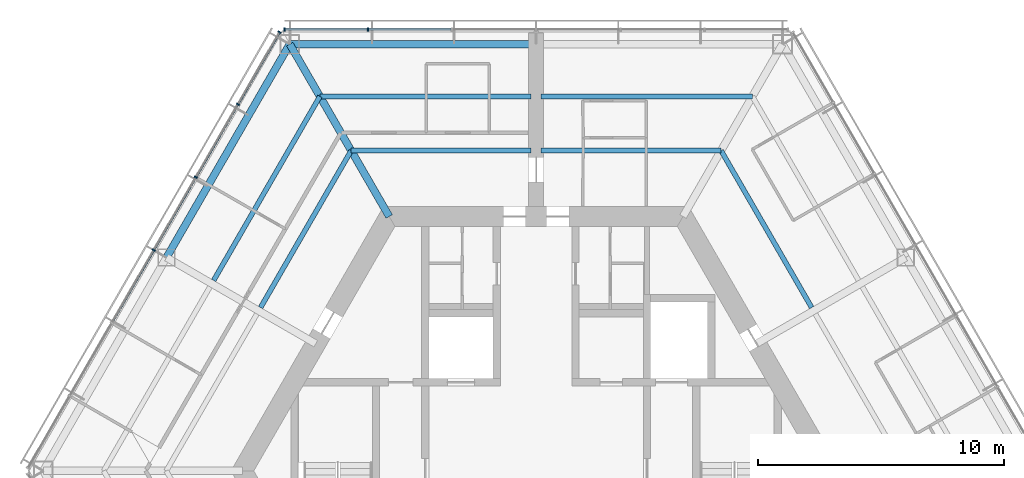
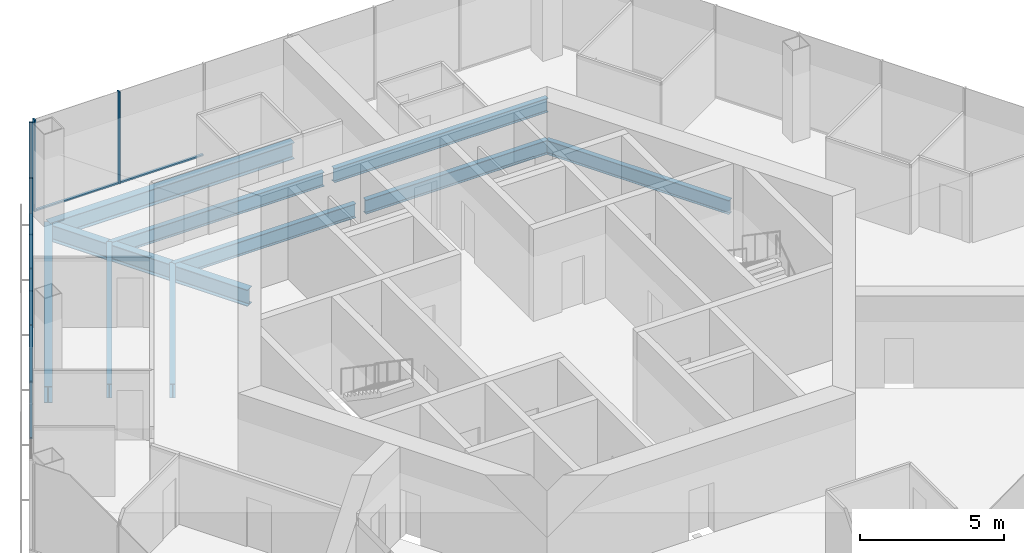
# One storey, part 6 of 16: 12 members, 10 beams, 2 elements without a shape of their own.
"""IFC4 building model written with IfcOpenShell, lengths in metres."""

from ifc_helpers import new_model, si_unit, direction, frame, origin, origin_2d, place, context, subcontext, project, spatial, rectangle, i_section, extrude, material, material_profile, profile_set, type_object, element, aggregate, save


model = new_model("IFC4")

# Units and contexts
model_context = context("Model", 3, precision=1e-05, world=origin(), true_north=direction((0.0, 1.0)))
body_context = subcontext(model_context, "Body", "Model", "MODEL_VIEW")
ifc_project = project(units=[si_unit("LENGTHUNIT", "METRE"), si_unit("AREAUNIT", "SQUARE_METRE"), si_unit("VOLUMEUNIT", "CUBIC_METRE"), si_unit("PLANEANGLEUNIT", "RADIAN"), si_unit("MASSUNIT", "GRAM", prefix="KILO")], contexts=[model_context])

# Site, building, storey
site_placement = place(None, origin())
site = spatial("IfcSite", under=ifc_project, at=site_placement, CompositionType="ELEMENT")
building_placement = place(site_placement, origin())
building = spatial("IfcBuilding", under=site, at=building_placement, Name="Kasaneha Research Tower", CompositionType="ELEMENT")
storey_placement = place(building_placement, frame((0.0, 0.0, 247.89990234375)))
storey = spatial("IfcBuildingStorey", under=building, at=storey_placement, Name="L62", CompositionType="ELEMENT", Elevation=247.89990234375)

# Beams
ifc_material_1 = material(Name="Steel SN490B", Category="steel")
ifc_material_profile_1 = material_profile(ifc_material_1, i_section(OverallWidth=0.199951171875, OverallDepth=0.60009765625, WebThickness=0.010986328125, FlangeThickness=0.01708984375, FilletRadius=0.012939453125, at=origin_2d()), Name="H-600x200x11x17")
ifc_profile_set_1 = profile_set([ifc_material_profile_1], Name="Steel SN490B")
beam_type_1 = type_object("IfcBeamType", Name="B1-3 secondary beam H-600x200x11x17", PredefinedType="JOIST", material=ifc_profile_set_1)
beam_1_placement = place(storey_placement, frame((7.505615234375, 13.0, -0.449951171875), z_axis=(0.499994443168, -0.866028611999, 0.0), x_axis=(0.866028611999, 0.499994443168, 0.0)))
element("IfcBeam", 1, at=beam_1_placement, inside=storey, type_object=beam_type_1, Name="Secondary beam RS030R1 L62", PredefinedType="JOIST", context=body_context, shape_type="SweptSolid", body=[
    extrude(i_section(OverallWidth=0.199951171875, OverallDepth=0.60009765625, WebThickness=0.010986328125, FlangeThickness=0.01708984375, FilletRadius=0.012939453125, at=origin_2d()), origin(), (0.0, 0.0, 1.0), 7.35546875),
])
beam_2_placement = place(storey_placement, frame((7.505615234375, 13.0, -0.449951171875), z_axis=(-1.0, 0.0, 0.0), x_axis=(0.0, -1.0, 0.0)))
element("IfcBeam", 2, at=beam_2_placement, inside=storey, type_object=beam_type_1, Name="Secondary beam RS090L1 L62", PredefinedType="JOIST", context=body_context, shape_type="SweptSolid", body=[
    extrude(i_section(OverallWidth=0.199951171875, OverallDepth=0.60009765625, WebThickness=0.010986328125, FlangeThickness=0.01708984375, FilletRadius=0.012939453125, at=origin_2d()), origin(), (0.0, 0.0, 1.0), 7.3056640625),
])
beam_3_placement = place(storey_placement, frame((8.775634765625, 15.199951171875, -0.449951171875), z_axis=(-1.0, 0.0, 0.0), x_axis=(0.0, -1.0, 0.0)))
element("IfcBeam", 3, at=beam_3_placement, inside=storey, type_object=beam_type_1, Name="Secondary beam RS090L2 L62", PredefinedType="JOIST", context=body_context, shape_type="SweptSolid", body=[
    extrude(i_section(OverallWidth=0.199951171875, OverallDepth=0.60009765625, WebThickness=0.010986328125, FlangeThickness=0.01708984375, FilletRadius=0.012939453125, at=origin_2d()), origin(), (0.0, 0.0, 1.0), 8.57568359375),
])
beam_4_placement = place(storey_placement, frame((-7.505615234375, 13.0, -0.449951171875), z_axis=(1.0, 0.0, 0.0), x_axis=(0.0, 1.0, 0.0)))
element("IfcBeam", 4, at=beam_4_placement, inside=storey, type_object=beam_type_1, Name="Secondary beam RS090R1 L62", PredefinedType="JOIST", context=body_context, shape_type="SweptSolid", body=[
    extrude(i_section(OverallWidth=0.199951171875, OverallDepth=0.60009765625, WebThickness=0.010986328125, FlangeThickness=0.01708984375, FilletRadius=0.012939453125, at=origin_2d()), origin(), (0.0, 0.0, 1.0), 7.3056640625),
])
beam_5_placement = place(storey_placement, frame((-8.775634765625, 15.199951171875, -0.449951171875), z_axis=(1.0, 0.0, 0.0), x_axis=(0.0, 1.0, 0.0)))
element("IfcBeam", 5, at=beam_5_placement, inside=storey, type_object=beam_type_1, Name="Secondary beam RS090R2 L62", PredefinedType="JOIST", context=body_context, shape_type="SweptSolid", body=[
    extrude(i_section(OverallWidth=0.199951171875, OverallDepth=0.60009765625, WebThickness=0.010986328125, FlangeThickness=0.01708984375, FilletRadius=0.012939453125, at=origin_2d()), origin(), (0.0, 0.0, 1.0), 8.57568359375),
])
beam_6_placement = place(storey_placement, frame((-7.505615234375, 13.0, -0.449951171875), z_axis=(-0.499994443168, -0.866028611999, 0.0), x_axis=(0.866028611999, -0.499994443168, 0.0)))
element("IfcBeam", 6, at=beam_6_placement, inside=storey, type_object=beam_type_1, Name="Secondary beam RS150L1 L62", PredefinedType="JOIST", context=body_context, shape_type="SweptSolid", body=[
    extrude(i_section(OverallWidth=0.199951171875, OverallDepth=0.60009765625, WebThickness=0.010986328125, FlangeThickness=0.01708984375, FilletRadius=0.012939453125, at=origin_2d()), origin(), (0.0, 0.0, 1.0), 7.35546875),
])
beam_7_placement = place(storey_placement, frame((-8.775634765625, 15.199951171875, -0.449951171875), z_axis=(-0.500017275495, -0.866015429543, 0.0), x_axis=(0.866015429543, -0.500017275495, 0.0)))
element("IfcBeam", 7, at=beam_7_placement, inside=storey, type_object=beam_type_1, Name="Secondary beam RS150L2 L62", PredefinedType="JOIST", context=body_context, shape_type="SweptSolid", body=[
    extrude(i_section(OverallWidth=0.199951171875, OverallDepth=0.60009765625, WebThickness=0.010986328125, FlangeThickness=0.01708984375, FilletRadius=0.012939453125, at=origin_2d()), origin(), (0.0, 0.0, 1.0), 8.625732421875),
])

# Curtain wall, members
ifc_material_2 = material(Name="Glass and aluminium", Category="aluminium")
curtain_wall_type = type_object("IfcCurtainWallType", Name="High-rise office curtain wall", PredefinedType="USERDEFINED", material=ifc_material_2)
curtain_wall_1_placement = place(storey_placement, origin())
curtain_wall_1 = element("IfcCurtainWall", 8, at=curtain_wall_1_placement, inside=storey, type_object=curtain_wall_type, Name="CW-O3 L62 run 02a", ObjectType="UNITISED CURTAIN WALL", PredefinedType="USERDEFINED")
ifc_material_3 = material(Name="Aluminium 6063-T6", Category="aluminium")
ifc_material_profile_2 = material_profile(ifc_material_3, rectangle(XDim=0.06005859375, YDim=0.139892578125, at=origin_2d()), Name="CW-O3 mullion 60x140")
ifc_profile_set_2 = profile_set([ifc_material_profile_2], Name="Aluminium 6063-T6")
member_type_1 = type_object("IfcMemberType", Name="CW-O3 mullion", PredefinedType="MULLION", material=ifc_profile_set_2)
member_1_placement = place(storey_placement, frame((-6.8310546875, 17.92041015625, 0.0), z_axis=(0.0, 0.0, 1.0), x_axis=(-1.0, 0.0, 0.0)))
member_1 = element("IfcMember", 9, at=member_1_placement, type_object=member_type_1, Name="CW-O3 mullion 6", PredefinedType="MULLION", context=body_context, shape_type="SweptSolid", body=[
    extrude(rectangle(XDim=0.06005859375, YDim=0.139892578125, at=origin_2d()), origin(), (0.0, 0.0, 1.0), 3.900146484375),
])
member_2_placement = place(storey_placement, frame((-10.21630859375, 17.92041015625, 0.0), z_axis=(0.0, 0.0, 1.0), x_axis=(-1.0, 0.0, 0.0)))
member_2 = element("IfcMember", 10, at=member_2_placement, type_object=member_type_1, Name="CW-O3 mullion 7", PredefinedType="MULLION", context=body_context, shape_type="SweptSolid", body=[
    extrude(rectangle(XDim=0.06005859375, YDim=0.139892578125, at=origin_2d()), origin(), (0.0, 0.0, 1.0), 3.900146484375),
])

curtain_wall_2_placement = place(storey_placement, origin())
curtain_wall_2 = element("IfcCurtainWall", 11, at=curtain_wall_2_placement, inside=storey, type_object=curtain_wall_type, Name="CW-O3 L62 run 03a", ObjectType="UNITISED CURTAIN WALL", PredefinedType="USERDEFINED")
member_3_placement = place(storey_placement, frame((-10.411376953125, 17.807861328125, 0.0), z_axis=(0.0, 0.0, 1.0), x_axis=(-0.499999995722, -0.866025406254, 0.0)))
member_3 = element("IfcMember", 12, at=member_3_placement, type_object=member_type_1, Name="CW-O3 mullion 1", PredefinedType="MULLION", context=body_context, shape_type="SweptSolid", body=[
    extrude(rectangle(XDim=0.06005859375, YDim=0.139892578125, at=origin_2d()), origin(), (0.0, 0.0, 1.0), 3.900146484375),
])
member_4_placement = place(storey_placement, frame((-12.104248046875, 14.8759765625, 0.0), z_axis=(0.0, 0.0, 1.0), x_axis=(-0.499999995722, -0.866025406254, 0.0)))
member_4 = element("IfcMember", 13, at=member_4_placement, type_object=member_type_1, Name="CW-O3 mullion 2", PredefinedType="MULLION", context=body_context, shape_type="SweptSolid", body=[
    extrude(rectangle(XDim=0.06005859375, YDim=0.139892578125, at=origin_2d()), origin(), (0.0, 0.0, 1.0), 3.900146484375),
])
member_5_placement = place(storey_placement, frame((-13.811767578125, 11.918212890625, 0.0), z_axis=(0.0, 0.0, 1.0), x_axis=(-0.499999995722, -0.866025406254, 0.0)))
member_5 = element("IfcMember", 14, at=member_5_placement, type_object=member_type_1, Name="CW-O3 mullion 3", PredefinedType="MULLION", context=body_context, shape_type="SweptSolid", body=[
    extrude(rectangle(XDim=0.06005859375, YDim=0.139892578125, at=origin_2d()), origin(), (0.0, 0.0, 1.0), 3.900146484375),
])
member_6_placement = place(storey_placement, frame((-15.51953125, 8.960205078125, 0.0), z_axis=(0.0, 0.0, 1.0), x_axis=(-0.499999995722, -0.866025406254, 0.0)))
member_6 = element("IfcMember", 15, at=member_6_placement, type_object=member_type_1, Name="CW-O3 mullion 4", PredefinedType="MULLION", context=body_context, shape_type="SweptSolid", body=[
    extrude(rectangle(XDim=0.06005859375, YDim=0.139892578125, at=origin_2d()), origin(), (0.0, 0.0, 1.0), 3.900146484375),
])

# Member
ifc_material_4 = material(Name="Aluminium 6063-T6", Category="aluminium")
ifc_material_profile_3 = material_profile(ifc_material_4, rectangle(XDim=0.10009765625, YDim=0.06005859375, at=origin_2d()), Name="CW-O3 transom 100x60")
ifc_profile_set_3 = profile_set([ifc_material_profile_3], Name="Aluminium 6063-T6")
member_type_2 = type_object("IfcMemberType", Name="CW-O3 transom", PredefinedType="USERDEFINED", material=ifc_profile_set_3)
member_7_placement = place(storey_placement, frame((-3.445556640625, 17.92041015625, 0.030029296875), z_axis=(-1.0, 0.0, 0.0), x_axis=(0.0, -1.0, 0.0)))
member_7 = element("IfcMember", 16, at=member_7_placement, type_object=member_type_2, Name="CW-O3 transom 5", ObjectType="TRANSOM", PredefinedType="USERDEFINED", context=body_context, shape_type="SweptSolid", body=[
    extrude(rectangle(XDim=0.10009765625, YDim=0.06005859375, at=origin_2d()), origin(), (0.0, 0.0, 1.0), 3.35546875),
])

member_8_placement = place(storey_placement, frame((-6.86083984375, 17.92041015625, 0.030029296875), z_axis=(-1.0, 0.0, 0.0), x_axis=(0.0, -1.0, 0.0)))
member_8 = element("IfcMember", 17, at=member_8_placement, type_object=member_type_2, Name="CW-O3 transom 6", ObjectType="TRANSOM", PredefinedType="USERDEFINED", context=body_context, shape_type="SweptSolid", body=[
    extrude(rectangle(XDim=0.10009765625, YDim=0.06005859375, at=origin_2d()), origin(), (0.0, 0.0, 1.0), 3.32568359375),
])

aggregate(curtain_wall_1, [member_1, member_2, member_7, member_8])

member_9_placement = place(storey_placement, frame((-10.426513671875, 17.781982421875, 0.030029296875), z_axis=(-0.49997666526, -0.866038875684, 0.0), x_axis=(0.866038875684, -0.49997666526, 0.0)))
member_9 = element("IfcMember", 18, at=member_9_placement, type_object=member_type_2, Name="CW-O3 transom 1", ObjectType="TRANSOM", PredefinedType="USERDEFINED", context=body_context, shape_type="SweptSolid", body=[
    extrude(rectangle(XDim=0.10009765625, YDim=0.06005859375, at=origin_2d()), origin(), (0.0, 0.0, 1.0), 3.325439453125),
])

member_10_placement = place(storey_placement, frame((-12.119140625, 14.85009765625, 0.030029296875), z_axis=(-0.499989072476, -0.866031712701, 0.0), x_axis=(0.866031712701, -0.499989072476, 0.0)))
member_10 = element("IfcMember", 19, at=member_10_placement, type_object=member_type_2, Name="CW-O3 transom 2", ObjectType="TRANSOM", PredefinedType="USERDEFINED", context=body_context, shape_type="SweptSolid", body=[
    extrude(rectangle(XDim=0.10009765625, YDim=0.06005859375, at=origin_2d()), origin(), (0.0, 0.0, 1.0), 3.35546875),
])

member_11_placement = place(storey_placement, frame((-13.826904296875, 11.89208984375, 0.030029296875), z_axis=(-0.500020578564, -0.866013522419, 0.0), x_axis=(0.866013522419, -0.500020578564, 0.0)))
member_11 = element("IfcMember", 20, at=member_11_placement, type_object=member_type_2, Name="CW-O3 transom 3", ObjectType="TRANSOM", PredefinedType="USERDEFINED", context=body_context, shape_type="SweptSolid", body=[
    extrude(rectangle(XDim=0.10009765625, YDim=0.06005859375, at=origin_2d()), origin(), (0.0, 0.0, 1.0), 3.355224609375),
])

member_12_placement = place(storey_placement, frame((-15.53466796875, 8.934326171875, 0.030029296875), z_axis=(-0.499989072476, -0.866031712701, 0.0), x_axis=(0.866031712701, -0.499989072476, 0.0)))
member_12 = element("IfcMember", 21, at=member_12_placement, type_object=member_type_2, Name="CW-O3 transom 4", ObjectType="TRANSOM", PredefinedType="USERDEFINED", context=body_context, shape_type="SweptSolid", body=[
    extrude(rectangle(XDim=0.10009765625, YDim=0.06005859375, at=origin_2d()), origin(), (0.0, 0.0, 1.0), 3.35546875),
])

aggregate(curtain_wall_2, [member_3, member_4, member_5, member_6, member_9, member_10, member_11, member_12])

# Beams
ifc_material_5 = material(Name="Steel SN490B", Category="steel")
ifc_material_profile_4 = material_profile(ifc_material_5, i_section(OverallWidth=0.300048828125, OverallDepth=0.699951171875, WebThickness=0.012939453125, FlangeThickness=0.02392578125, FilletRadius=0.01806640625, at=origin_2d()), Name="H-700x300x13x24")
ifc_profile_set_4 = profile_set([ifc_material_profile_4], Name="Steel SN490B")
beam_type_2 = type_object("IfcBeamType", Name="G1-3 radial girder H-700x300x13x24", PredefinedType="BEAM", material=ifc_profile_set_4)
beam_8_placement = place(storey_placement, frame((-5.961181640625, 10.324951171875, -0.5), z_axis=(-0.49999105496, 0.866030568144, 0.0), x_axis=(-0.866030568144, -0.49999105496, 0.0)))
element("IfcBeam", 22, at=beam_8_placement, inside=storey, type_object=beam_type_2, Name="Radial girder RV120 L62", PredefinedType="BEAM", context=body_context, shape_type="SweptSolid", body=[
    extrude(i_section(OverallWidth=0.300048828125, OverallDepth=0.699951171875, WebThickness=0.012939453125, FlangeThickness=0.02392578125, FilletRadius=0.01806640625, at=origin_2d()), origin(), (0.0, 0.0, 1.0), 8.077880859375),
])
ifc_material_6 = material(Name="Steel SN490B", Category="steel")
ifc_material_profile_5 = material_profile(ifc_material_6, i_section(OverallWidth=0.300048828125, OverallDepth=0.69189453125, WebThickness=0.012939453125, FlangeThickness=0.02001953125, FilletRadius=0.01806640625, at=origin_2d()), Name="H-692x300x13x20")
ifc_profile_set_5 = profile_set([ifc_material_profile_5], Name="Steel SN490B")
beam_type_3 = type_object("IfcBeamType", Name="G3-3 plate edge girder H-692x300x13x20", PredefinedType="BEAM", material=ifc_profile_set_5)
beam_9_placement = place(storey_placement, frame((-10.0, 17.320556640625, -0.495849609375), z_axis=(1.0, 0.0, 0.0), x_axis=(0.0, 1.0, 0.0)))
element("IfcBeam", 23, at=beam_9_placement, inside=storey, type_object=beam_type_3, Name="Plate edge girder PEAN L62", PredefinedType="BEAM", context=body_context, shape_type="SweptSolid", body=[
    extrude(i_section(OverallWidth=0.300048828125, OverallDepth=0.69189453125, WebThickness=0.012939453125, FlangeThickness=0.02001953125, FilletRadius=0.01806640625, at=origin_2d()), origin(), (0.0, 0.0, 1.0), 9.800048828125),
])
ifc_material_7 = material(Name="Steel SN490B", Category="steel")
ifc_material_profile_6 = material_profile(ifc_material_7, i_section(OverallWidth=0.300048828125, OverallDepth=0.69189453125, WebThickness=0.012939453125, FlangeThickness=0.02001953125, FilletRadius=0.01806640625, at=origin_2d()), Name="H-692x300x13x20")
ifc_profile_set_6 = profile_set([ifc_material_profile_6], Name="Steel SN490B")
beam_type_4 = type_object("IfcBeamType", Name="SB1-3 spandrel beam H-692x300x13x20", PredefinedType="SPANDREL", material=ifc_profile_set_6)
beam_10_placement = place(storey_placement, frame((-10.0, 17.320556640625, -0.495849609375), z_axis=(-0.499993662806, -0.866029062534, 0.0), x_axis=(0.866029062534, -0.499993662806, 0.0)))
element("IfcBeam", 24, at=beam_10_placement, inside=storey, type_object=beam_type_4, Name="Spandrel beam SR150L L62", PredefinedType="SPANDREL", context=body_context, shape_type="SweptSolid", body=[
    extrude(i_section(OverallWidth=0.300048828125, OverallDepth=0.69189453125, WebThickness=0.012939453125, FlangeThickness=0.02001953125, FilletRadius=0.01806640625, at=origin_2d()), origin(), (0.0, 0.0, 1.0), 10.000244140625),
])

save(model, "model.ifc")
